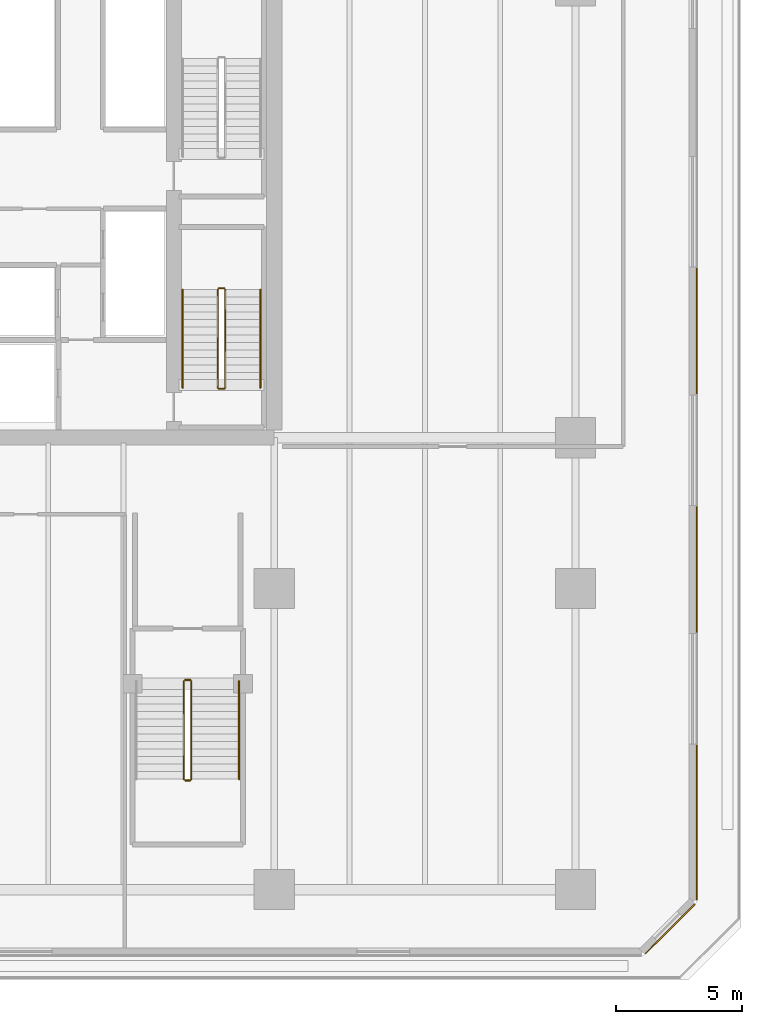
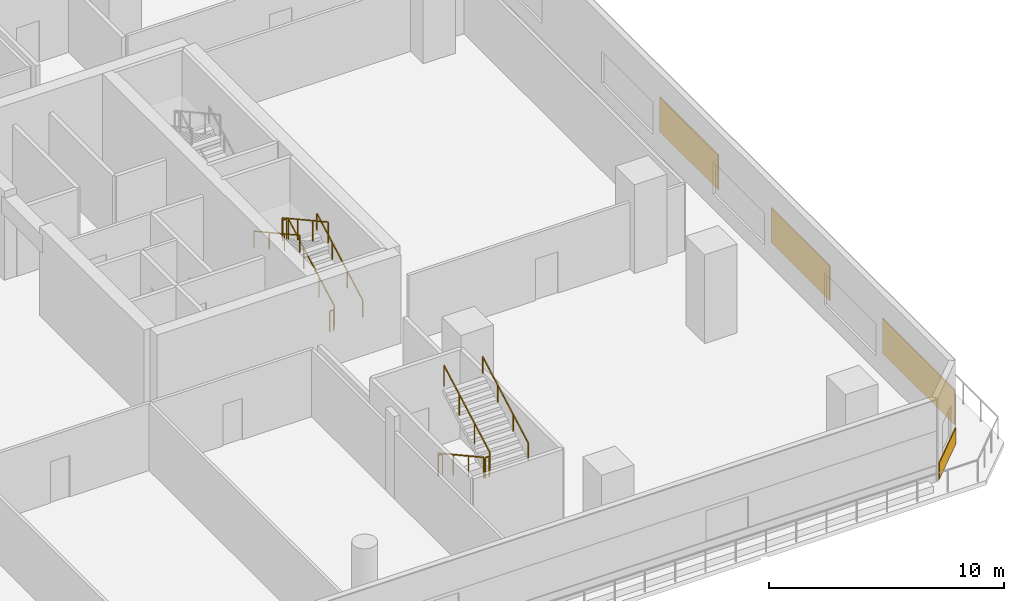
# One storey, part 22 of 27: 11 railings, 4 coverings.
"""IFC4 building model written with IfcOpenShell, lengths in metres."""

from ifc_helpers import new_model, si_unit, direction, frame, origin, origin_2d, place, context, subcontext, project, spatial, rectangle, extrude, material, layer, layer_set, type_object, element, save


model = new_model("IFC4")

# Units and contexts
model_context = context("Model", 3, precision=1e-05, world=origin(), true_north=direction((0.0, 1.0)))
body_context = subcontext(model_context, "Body", "Model", "MODEL_VIEW")
ifc_project = project(units=[si_unit("LENGTHUNIT", "METRE"), si_unit("AREAUNIT", "SQUARE_METRE"), si_unit("VOLUMEUNIT", "CUBIC_METRE"), si_unit("PLANEANGLEUNIT", "RADIAN"), si_unit("MASSUNIT", "GRAM", prefix="KILO")], contexts=[model_context])

# Site, building, storey
site_placement = place(None, origin())
site = spatial("IfcSite", under=ifc_project, at=site_placement, CompositionType="ELEMENT")
building_placement = place(site_placement, origin())
building = spatial("IfcBuilding", under=site, at=building_placement, Name="Tanjung Sevakor Pilgrim Tower", CompositionType="ELEMENT")
storey_placement = place(building_placement, frame((0.0, 0.0, 19.469970703125)))
storey = spatial("IfcBuildingStorey", under=building, at=storey_placement, Name="L05", CompositionType="ELEMENT", Elevation=19.469970703125)

# Coverings
ifc_material_1 = material(Name="Reconstructed Limestone Cladding", Category="masonry")
ifc_layer = layer(ifc_material_1, 0.044921875)
ifc_layer_set = layer_set([ifc_layer], Name="COV-CLAD-LIMESTONE")
covering_type = type_object("IfcCoveringType", Name="COV-CLAD-LIMESTONE", PredefinedType="CLADDING", material=ifc_layer_set)
covering_1_placement = place(storey_placement, frame((105.765869140625, 5.0341796875, 0.009765625), z_axis=(0.0, 0.0, 1.0), x_axis=(0.707106781187, 0.707106781187, 0.0)))
element("IfcCovering", 1, at=covering_1_placement, inside=storey, type_object=covering_type, Name="L05 Warm Limestone Sill Spandrel EW-L05-MAIN-2-1", PredefinedType="CLADDING", context=body_context, shape_type="SweptSolid", body=[
    extrude(rectangle(XDim=2.77392578125, YDim=0.044921875, at=origin_2d()), origin(), (0.0, 0.0, 1.0), 0.840087890625),
])
covering_2_placement = place(storey_placement, frame((106.822509765625, 9.27392578125, 0.85009765625), z_axis=(0.0, 0.0, 1.0), x_axis=(0.0, 1.0, 0.0)))
element("IfcCovering", 2, at=covering_2_placement, inside=storey, type_object=covering_type, Name="L05 Warm Limestone Pier Panel EW-L05-MAIN-3-1", PredefinedType="CLADDING", context=body_context, shape_type="SweptSolid", body=[
    extrude(rectangle(XDim=6.152099609375, YDim=0.044921875, at=origin_2d()), origin(), (0.0, 0.0, 1.0), 1.81005859375),
])
for number, where, z_axis, x_axis, name in (
    (3, (106.822509765625, 19.35009765625, 0.85009765625), (0.0, 0.0, 1.0), (0.0, 1.0, 0.0), "L05 Warm Limestone Pier Panel EW-L05-MAIN-3-2"),
    (4, (106.822509765625, 28.85009765625, 0.85009765625), (0.0, 0.0, 1.0), (0.0, 1.0, 0.0), "L05 Warm Limestone Pier Panel EW-L05-MAIN-3-3"),
):
    element("IfcCovering", number, at=place(storey_placement, frame(where, z_axis=z_axis, x_axis=x_axis)), inside=storey, type_object=covering_type, Name=name, PredefinedType="CLADDING", context=body_context, shape_type="SweptSolid", body=[
        extrude(rectangle(XDim=5.0, YDim=0.044921875, at=origin_2d()), origin(), (0.0, 0.0, 1.0), 1.81005859375),
    ])

# Railings
ifc_material_2 = material(Name="Steel S355J2", Category="steel")
railing_type_1 = type_object("IfcRailingType", Name="RL-STAIR-GUARD", PredefinedType="GUARDRAIL", material=ifc_material_2)
railing_1_placement = place(storey_placement, frame((88.050048828125, 26.60009765625, 0.1650390625)))
element("IfcRailing", 5, at=railing_1_placement, inside=storey, type_object=railing_type_1, Name="L05 TS-E1 stair guard 1", PredefinedType="GUARDRAIL", context=body_context, shape_type="SweptSolid", body=[
    extrude(rectangle(XDim=0.0479, YDim=0.0479), frame((0.0, 0.0, 1.076171875), z_axis=(0.0, 0.876208959939, 0.481931383625), x_axis=(-1.0, 0.0, 0.0)), (0.0, 0.0, 1.0), 4.450927734375),
    extrude(rectangle(XDim=0.042, YDim=0.042), origin(), (0.0, 0.0, 1.0), 1.052001953125),
    extrude(rectangle(XDim=0.042, YDim=0.042), frame((0.0, 1.300048828125, 0.715087890625)), (0.0, 0.0, 1.0), 1.052001953125),
    extrude(rectangle(XDim=0.042, YDim=0.042), frame((0.0, 2.599853515625, 1.429931640625)), (0.0, 0.0, 1.0), 1.052001953125),
    extrude(rectangle(XDim=0.042, YDim=0.042), frame((0.0, 3.89990234375, 2.14501953125)), (0.0, 0.0, 1.0), 1.052001953125),
])
railing_2_placement = place(storey_placement, frame((88.0, 30.550048828125, 2.31005859375)))
element("IfcRailing", 6, at=railing_2_placement, inside=storey, type_object=railing_type_1, Name="L05 TS-E1 stair guard 2", PredefinedType="GUARDRAIL", context=body_context, shape_type="SweptSolid", body=[
    extrude(rectangle(XDim=0.0479, YDim=0.0479), frame((0.0, 0.0, 1.076171875), z_axis=(-1.0, 0.0, 0.0), x_axis=(0.0, -1.0, 0.0)), (0.0, 0.0, 1.0), 0.199951171875),
    extrude(rectangle(XDim=0.042, YDim=0.042), origin(), (0.0, 0.0, 1.0), 1.052001953125),
    extrude(rectangle(XDim=0.042, YDim=0.042), frame((-0.199951171875, 0.0, 0.0)), (0.0, 0.0, 1.0), 1.052001953125),
])
railing_3_placement = place(storey_placement, frame((87.75, 30.5, 2.47509765625)))
element("IfcRailing", 7, at=railing_3_placement, inside=storey, type_object=railing_type_1, Name="L05 TS-E1 stair guard 3", PredefinedType="GUARDRAIL", context=body_context, shape_type="SweptSolid", body=[
    extrude(rectangle(XDim=0.0479, YDim=0.0479), frame((0.0, 0.0, 1.076171875), z_axis=(0.0, -0.876208959939, 0.481931383625), x_axis=(1.0, 0.0, 0.0)), (0.0, 0.0, 1.0), 4.450927734375),
    extrude(rectangle(XDim=0.042, YDim=0.042), origin(), (0.0, 0.0, 1.0), 1.052001953125),
    extrude(rectangle(XDim=0.042, YDim=0.042), frame((0.0, -1.300048828125, 0.715087890625)), (0.0, 0.0, 1.0), 1.052001953125),
    extrude(rectangle(XDim=0.042, YDim=0.042), frame((0.0, -2.599853515625, 1.429931640625)), (0.0, 0.0, 1.0), 1.052001953125),
    extrude(rectangle(XDim=0.042, YDim=0.042), frame((0.0, -3.89990234375, 2.14501953125)), (0.0, 0.0, 1.0), 1.052001953125),
])
railing_4_placement = place(storey_placement, frame((88.0, 26.550048828125, 0.0)))
element("IfcRailing", 8, at=railing_4_placement, inside=storey, type_object=railing_type_1, Name="L05 TS-E1 stair guard 4", PredefinedType="GUARDRAIL", context=body_context, shape_type="SweptSolid", body=[
    extrude(rectangle(XDim=0.0479, YDim=0.0479), frame((0.0, 0.0, 1.076171875), z_axis=(-1.0, 0.0, 0.0), x_axis=(0.0, -1.0, 0.0)), (0.0, 0.0, 1.0), 0.199951171875),
    extrude(rectangle(XDim=0.042, YDim=0.042), origin(), (0.0, 0.0, 1.0), 1.052001953125),
    extrude(rectangle(XDim=0.042, YDim=0.042), frame((-0.199951171875, 0.0, 0.0)), (0.0, 0.0, 1.0), 1.052001953125),
])
railing_5_placement = place(storey_placement, frame((86.39990234375, 14.89990234375, 0.1650390625)))
element("IfcRailing", 9, at=railing_5_placement, inside=storey, type_object=railing_type_1, Name="L05 PS-5 stair guard 1", PredefinedType="GUARDRAIL", context=body_context, shape_type="SweptSolid", body=[
    extrude(rectangle(XDim=0.0479, YDim=0.0479), frame((0.0, 0.0, 1.076171875), z_axis=(0.0, -0.876208959939, 0.481931383625), x_axis=(1.0, 0.0, 0.0)), (0.0, 0.0, 1.0), 4.450927734375),
    extrude(rectangle(XDim=0.042, YDim=0.042), origin(), (0.0, 0.0, 1.0), 1.052001953125),
    extrude(rectangle(XDim=0.042, YDim=0.042), frame((0.0, -1.300048828125, 0.715087890625)), (0.0, 0.0, 1.0), 1.052001953125),
    extrude(rectangle(XDim=0.042, YDim=0.042), frame((0.0, -2.599853515625, 1.429931640625)), (0.0, 0.0, 1.0), 1.052001953125),
    extrude(rectangle(XDim=0.042, YDim=0.042), frame((0.0, -3.89990234375, 2.14501953125)), (0.0, 0.0, 1.0), 1.052001953125),
])
railing_6_placement = place(storey_placement, frame((86.449951171875, 10.949951171875, 2.31005859375)))
element("IfcRailing", 10, at=railing_6_placement, inside=storey, type_object=railing_type_1, Name="L05 PS-5 stair guard 2", PredefinedType="GUARDRAIL", context=body_context, shape_type="SweptSolid", body=[
    extrude(rectangle(XDim=0.0479, YDim=0.0479), frame((0.0, 0.0, 1.076171875), z_axis=(1.0, 0.0, 0.0), x_axis=(0.0, 1.0, 0.0)), (0.0, 0.0, 1.0), 0.199951171875),
    extrude(rectangle(XDim=0.042, YDim=0.042), origin(), (0.0, 0.0, 1.0), 1.052001953125),
    extrude(rectangle(XDim=0.042, YDim=0.042), frame((0.199951171875, 0.0, 0.0)), (0.0, 0.0, 1.0), 1.052001953125),
])
railing_7_placement = place(storey_placement, frame((86.699951171875, 11.0, 2.47509765625)))
element("IfcRailing", 11, at=railing_7_placement, inside=storey, type_object=railing_type_1, Name="L05 PS-5 stair guard 3", PredefinedType="GUARDRAIL", context=body_context, shape_type="SweptSolid", body=[
    extrude(rectangle(XDim=0.0479, YDim=0.0479), frame((0.0, 0.0, 1.076171875), z_axis=(0.0, 0.876208959939, 0.481931383625), x_axis=(-1.0, 0.0, 0.0)), (0.0, 0.0, 1.0), 4.450927734375),
    extrude(rectangle(XDim=0.042, YDim=0.042), origin(), (0.0, 0.0, 1.0), 1.052001953125),
    extrude(rectangle(XDim=0.042, YDim=0.042), frame((0.0, 1.300048828125, 0.715087890625)), (0.0, 0.0, 1.0), 1.052001953125),
    extrude(rectangle(XDim=0.042, YDim=0.042), frame((0.0, 2.599853515625, 1.429931640625)), (0.0, 0.0, 1.0), 1.052001953125),
    extrude(rectangle(XDim=0.042, YDim=0.042), frame((0.0, 3.89990234375, 2.14501953125)), (0.0, 0.0, 1.0), 1.052001953125),
])
railing_8_placement = place(storey_placement, frame((86.449951171875, 14.949951171875, 0.0)))
element("IfcRailing", 12, at=railing_8_placement, inside=storey, type_object=railing_type_1, Name="L05 PS-5 stair guard 4", PredefinedType="GUARDRAIL", context=body_context, shape_type="SweptSolid", body=[
    extrude(rectangle(XDim=0.0479, YDim=0.0479), frame((0.0, 0.0, 1.076171875), z_axis=(1.0, 0.0, 0.0), x_axis=(0.0, 1.0, 0.0)), (0.0, 0.0, 1.0), 0.199951171875),
    extrude(rectangle(XDim=0.042, YDim=0.042), origin(), (0.0, 0.0, 1.0), 1.052001953125),
    extrude(rectangle(XDim=0.042, YDim=0.042), frame((0.199951171875, 0.0, 0.0)), (0.0, 0.0, 1.0), 1.052001953125),
])
ifc_material_3 = material(Name="Steel S355J2", Category="steel")
railing_type_2 = type_object("IfcRailingType", Name="RL-STAIR-HAND", PredefinedType="HANDRAIL", material=ifc_material_3)
railing_9_placement = place(storey_placement, frame((89.449951171875, 26.60009765625, 0.1650390625)))
element("IfcRailing", 13, at=railing_9_placement, inside=storey, type_object=railing_type_2, Name="L05 TS-E1 stair handrail 1", PredefinedType="HANDRAIL", context=body_context, shape_type="SweptSolid", body=[
    extrude(rectangle(XDim=0.0479, YDim=0.0479), frame((0.0, 0.0, 0.8759765625), z_axis=(0.0, 0.876208959939, 0.481931383625), x_axis=(-1.0, 0.0, 0.0)), (0.0, 0.0, 1.0), 4.450927734375),
    extrude(rectangle(XDim=0.042, YDim=0.042), origin(), (0.0, 0.0, 1.0), 0.851806640625),
    extrude(rectangle(XDim=0.042, YDim=0.042), frame((0.0, 1.300048828125, 0.715087890625)), (0.0, 0.0, 1.0), 0.851806640625),
    extrude(rectangle(XDim=0.042, YDim=0.042), frame((0.0, 2.599853515625, 1.429931640625)), (0.0, 0.0, 1.0), 0.851806640625),
    extrude(rectangle(XDim=0.042, YDim=0.042), frame((0.0, 3.89990234375, 2.14501953125)), (0.0, 0.0, 1.0), 0.851806640625),
])
railing_10_placement = place(storey_placement, frame((86.35009765625, 30.5, 2.47509765625)))
element("IfcRailing", 14, at=railing_10_placement, inside=storey, type_object=railing_type_2, Name="L05 TS-E1 stair handrail 2", PredefinedType="HANDRAIL", context=body_context, shape_type="SweptSolid", body=[
    extrude(rectangle(XDim=0.0479, YDim=0.0479), frame((0.0, 0.0, 0.8759765625), z_axis=(0.0, -0.876208959939, 0.481931383625), x_axis=(1.0, 0.0, 0.0)), (0.0, 0.0, 1.0), 4.450927734375),
    extrude(rectangle(XDim=0.042, YDim=0.042), origin(), (0.0, 0.0, 1.0), 0.851806640625),
    extrude(rectangle(XDim=0.042, YDim=0.042), frame((0.0, -1.300048828125, 0.715087890625)), (0.0, 0.0, 1.0), 0.851806640625),
    extrude(rectangle(XDim=0.042, YDim=0.042), frame((0.0, -2.599853515625, 1.429931640625)), (0.0, 0.0, 1.0), 0.851806640625),
    extrude(rectangle(XDim=0.042, YDim=0.042), frame((0.0, -3.89990234375, 2.14501953125)), (0.0, 0.0, 1.0), 0.851806640625),
])
railing_11_placement = place(storey_placement, frame((88.60009765625, 11.0, 2.47509765625)))
element("IfcRailing", 15, at=railing_11_placement, inside=storey, type_object=railing_type_2, Name="L05 PS-5 stair handrail 2", PredefinedType="HANDRAIL", context=body_context, shape_type="SweptSolid", body=[
    extrude(rectangle(XDim=0.0479, YDim=0.0479), frame((0.0, 0.0, 0.8759765625), z_axis=(0.0, 0.876208959939, 0.481931383625), x_axis=(-1.0, 0.0, 0.0)), (0.0, 0.0, 1.0), 4.450927734375),
    extrude(rectangle(XDim=0.042, YDim=0.042), origin(), (0.0, 0.0, 1.0), 0.851806640625),
    extrude(rectangle(XDim=0.042, YDim=0.042), frame((0.0, 1.300048828125, 0.715087890625)), (0.0, 0.0, 1.0), 0.851806640625),
    extrude(rectangle(XDim=0.042, YDim=0.042), frame((0.0, 2.599853515625, 1.429931640625)), (0.0, 0.0, 1.0), 0.851806640625),
    extrude(rectangle(XDim=0.042, YDim=0.042), frame((0.0, 3.89990234375, 2.14501953125)), (0.0, 0.0, 1.0), 0.851806640625),
])

save(model, "model.ifc")
